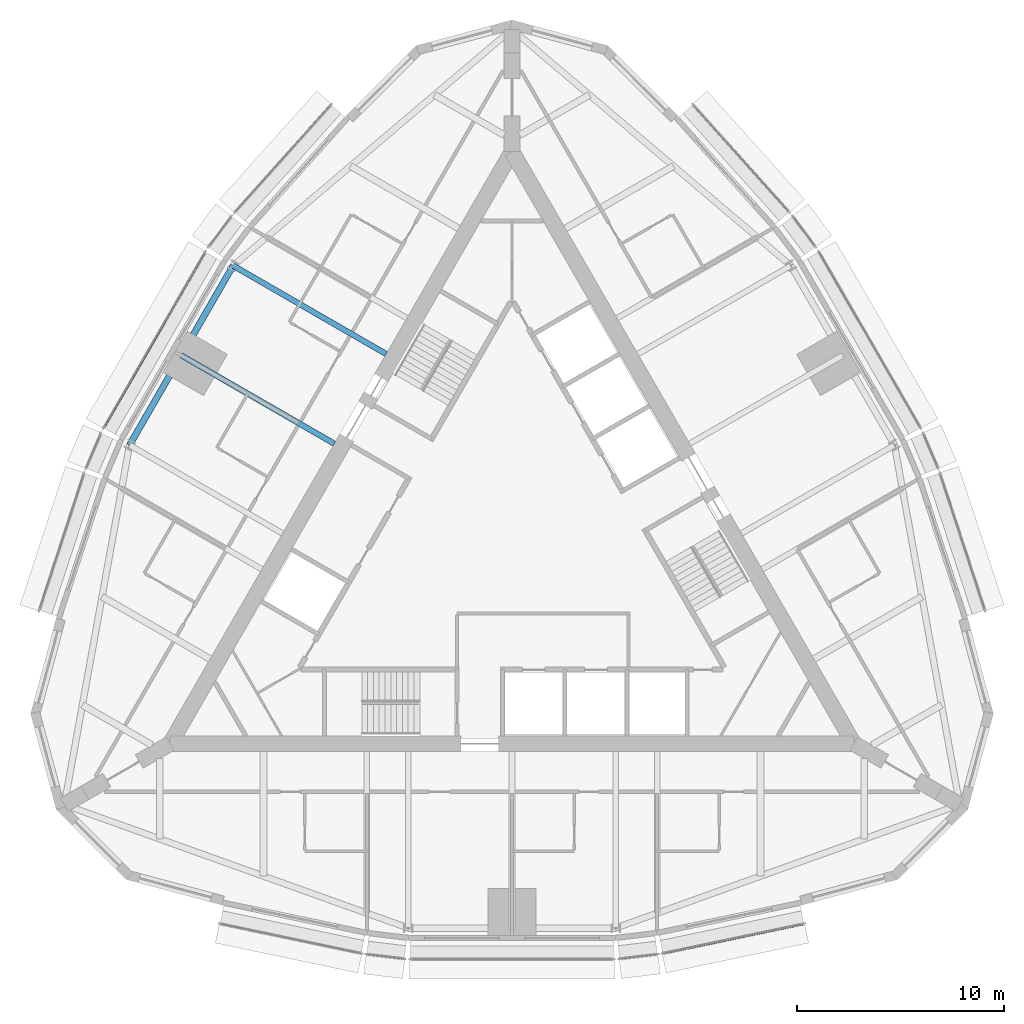
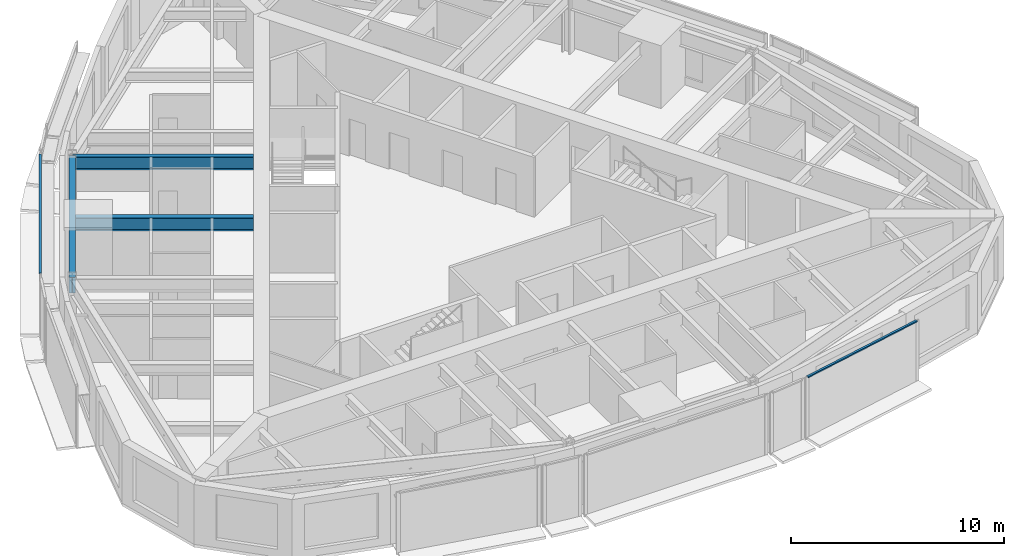
# One storey, part 3 of 12: 3 beams, 2 members, 2 elements without a shape of their own.
"""IFC4 building model written with IfcOpenShell, lengths in metres."""

from ifc_helpers import new_model, si_unit, direction, frame, origin, origin_2d, place, context, subcontext, project, spatial, rectangle, i_section, extrude, material, material_profile, profile_set, type_object, element, aggregate, save


model = new_model("IFC4")

# Units and contexts
model_context = context("Model", 3, precision=1e-05, world=origin(), true_north=direction((0.0, 1.0)))
body_context = subcontext(model_context, "Body", "Model", "MODEL_VIEW")
ifc_project = project(units=[si_unit("LENGTHUNIT", "METRE"), si_unit("AREAUNIT", "SQUARE_METRE"), si_unit("VOLUMEUNIT", "CUBIC_METRE"), si_unit("PLANEANGLEUNIT", "RADIAN"), si_unit("MASSUNIT", "GRAM", prefix="KILO")], contexts=[model_context])

# Site, building, storey
site_placement = place(None, origin())
site = spatial("IfcSite", under=ifc_project, at=site_placement, CompositionType="ELEMENT")
building_placement = place(site_placement, origin())
building = spatial("IfcBuilding", under=site, at=building_placement, Name="Trikona Tower", CompositionType="ELEMENT")
storey_placement = place(building_placement, frame((0.0, 0.0, 242.89990234375)))
storey = spatial("IfcBuildingStorey", under=building, at=storey_placement, Name="L64", CompositionType="ELEMENT", Elevation=242.89990234375)

# Beams
ifc_material_1 = material(Name="Steel ASTM A992 Grade 50", Category="steel")
ifc_material_profile_1 = material_profile(ifc_material_1, i_section(OverallWidth=0.2666015625, OverallDepth=0.7568359375, WebThickness=0.013916015625, FlangeThickness=0.019287109375, at=origin_2d()), Name="W30X108")
ifc_profile_set_1 = profile_set([ifc_material_profile_1], Name="Steel ASTM A992 Grade 50")
beam_type_1 = type_object("IfcBeamType", Name="Steel beam W30x108 (radial upper)", PredefinedType="BEAM", material=ifc_profile_set_1)
for number, where, z_axis, x_axis, name in (
    (1, (-6.07470703125, 9.28076171875, 3.056640625), (-0.866022086901, 0.500005744967, 0.0), (-0.500005744967, -0.866022086901, 0.0), "Floor beam L65 F3 u-5"),
    (2, (-8.57470703125, 4.95068359375, 3.056640625), (-0.866022086901, 0.500005744967, 0.0), (-0.500005744967, -0.866022086901, 0.0), "Floor beam L65 F3 u0"),
):
    element("IfcBeam", number, at=place(storey_placement, frame(where, z_axis=z_axis, x_axis=x_axis)), inside=storey, type_object=beam_type_1, Name=name, PredefinedType="BEAM", context=body_context, shape_type="SweptSolid", body=[
        extrude(i_section(OverallWidth=0.2666015625, OverallDepth=0.7568359375, WebThickness=0.013916015625, FlangeThickness=0.019287109375, at=origin_2d()), origin(), (0.0, 0.0, 1.0), 8.529296875),
    ])
ifc_material_2 = material(Name="Steel ASTM A992 Grade 50", Category="steel")
ifc_material_profile_2 = material_profile(ifc_material_2, i_section(OverallWidth=0.3046875, OverallDepth=0.911865234375, WebThickness=0.015869140625, FlangeThickness=0.02392578125, at=origin_2d()), Name="W36X150")
ifc_profile_set_2 = profile_set([ifc_material_profile_2], Name="Steel ASTM A992 Grade 50")
beam_type_2 = type_object("IfcBeamType", Name="Steel beam W36x150 (spandrel upper)", PredefinedType="SPANDREL", material=ifc_profile_set_2)
beam_placement = place(storey_placement, frame((-13.461181640625, 13.54541015625, 2.979248046875), z_axis=(-0.499993662806, -0.866029062534, 0.0), x_axis=(0.866029062534, -0.499993662806, 0.0)))
element("IfcBeam", 3, at=beam_placement, inside=storey, type_object=beam_type_2, Name="Spandrel beam L65 F3-2", PredefinedType="SPANDREL", context=body_context, shape_type="SweptSolid", body=[
    extrude(i_section(OverallWidth=0.3046875, OverallDepth=0.911865234375, WebThickness=0.015869140625, FlangeThickness=0.02392578125, at=origin_2d()), origin(), (0.0, 0.0, 1.0), 10.000244140625),
])

# Curtain wall, member
ifc_material_3 = material(Name="Aluminium curtain wall system", Category="aluminium")
curtain_wall_type = type_object("IfcCurtainWallType", Name="Curtain wall DS3", PredefinedType="NOTDEFINED", material=ifc_material_3)
curtain_wall_1_placement = place(storey_placement, origin())
curtain_wall_1 = element("IfcCurtainWall", 4, at=curtain_wall_1_placement, inside=storey, type_object=curtain_wall_type, Name="Curtain wall DS3 L64", PredefinedType="NOTDEFINED")
ifc_material_4 = material(Name="Aluminium transom, pale anodised", Category="aluminium")
ifc_material_profile_3 = material_profile(ifc_material_4, rectangle(XDim=0.1201171875, YDim=0.070068359375, at=origin_2d()), Name="TRN-DS3")
ifc_profile_set_3 = profile_set([ifc_material_profile_3], Name="Aluminium transom, pale anodised")
member_type = type_object("IfcMemberType", Name="Transom DS3 70x120", PredefinedType="USERDEFINED", material=ifc_profile_set_3)
member_1_placement = place(storey_placement, frame((7.312255859375, -19.64453125, 3.565185546875), z_axis=(0.978654137783, 0.205514181021, 0.0), x_axis=(-0.205514181021, 0.978654137783, 0.0)))
member_1 = element("IfcMember", 5, at=member_1_placement, type_object=member_type, Name="CW-DS3 transom 1.1", ObjectType="TRANSOM", PredefinedType="USERDEFINED", context=body_context, shape_type="SweptSolid", body=[
    extrude(rectangle(XDim=0.1201171875, YDim=0.070068359375, at=origin_2d()), origin(), (0.0, 0.0, 1.0), 6.892578125),
])
aggregate(curtain_wall_1, [member_1])

curtain_wall_2_placement = place(storey_placement, origin())
curtain_wall_2 = element("IfcCurtainWall", 6, at=curtain_wall_2_placement, inside=storey, type_object=curtain_wall_type, Name="Curtain wall DS3 L64", PredefinedType="NOTDEFINED")
member_2_placement = place(storey_placement, frame((-14.8251953125, 14.182861328125, 3.565185546875), z_axis=(-0.500010305712, -0.866019453697, 0.0), x_axis=(0.866019453697, -0.500010305712, 0.0)))
member_2 = element("IfcMember", 7, at=member_2_placement, type_object=member_type, Name="CW-DS3 transom 1.1", ObjectType="TRANSOM", PredefinedType="USERDEFINED", context=body_context, shape_type="SweptSolid", body=[
    extrude(rectangle(XDim=0.1201171875, YDim=0.070068359375, at=origin_2d()), origin(), (0.0, 0.0, 1.0), 9.739990234375),
])
aggregate(curtain_wall_2, [member_2])

save(model, "model.ifc")
